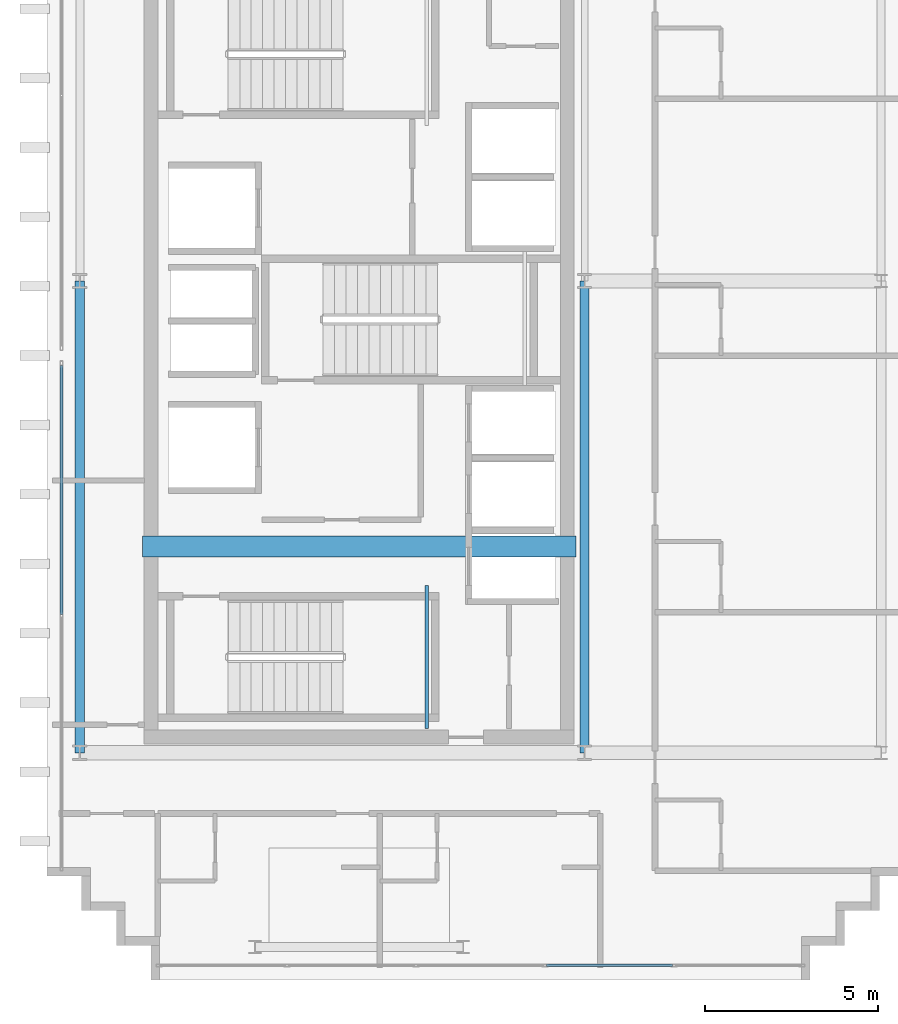
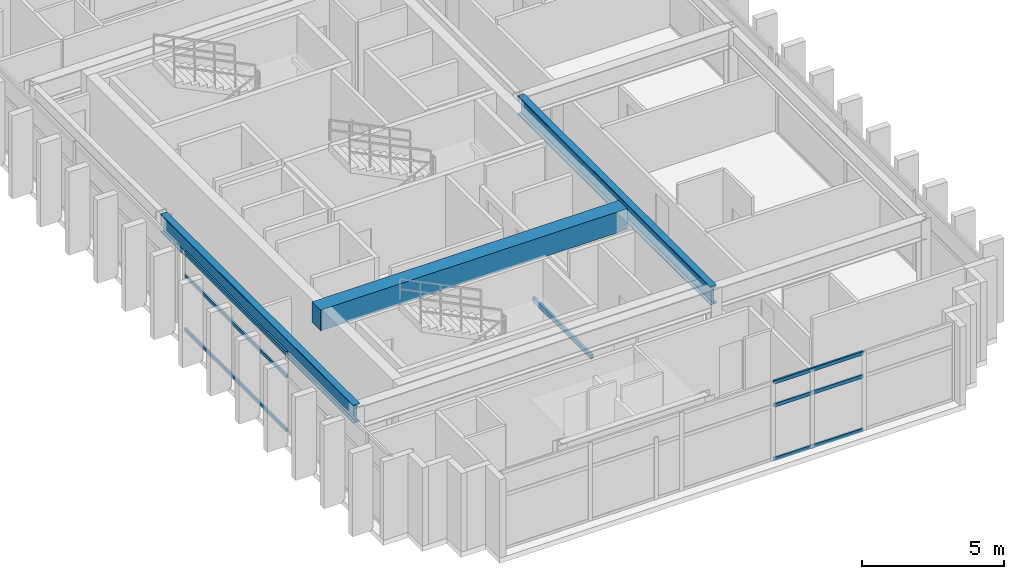
# One storey, part 3 of 15: 6 members, 4 beams, 2 elements without a shape of their own.
"""IFC4 building model written with IfcOpenShell, lengths in metres."""

from ifc_helpers import new_model, si_unit, direction, frame, origin, origin_2d, place, context, subcontext, project, spatial, rectangle, hollow_rectangle, i_section, extrude, source, transform, mapped, material, layer, layer_set, material_profile, profile_set, type_object, element, aggregate, save


model = new_model("IFC4")

# Units and contexts
model_context = context("Model", 3, precision=1e-05, world=origin(), true_north=direction((0.0, 1.0)))
body_context = subcontext(model_context, "Body", "Model", "MODEL_VIEW")
ifc_project = project(units=[si_unit("LENGTHUNIT", "METRE"), si_unit("AREAUNIT", "SQUARE_METRE"), si_unit("VOLUMEUNIT", "CUBIC_METRE"), si_unit("PLANEANGLEUNIT", "RADIAN"), si_unit("MASSUNIT", "GRAM", prefix="KILO")], contexts=[model_context])

# Site, building, storey
site_placement = place(None, origin())
site = spatial("IfcSite", under=ifc_project, at=site_placement, CompositionType="ELEMENT")
building_placement = place(site_placement, origin())
building = spatial("IfcBuilding", under=site, at=building_placement, Name="Ocotamira Hotel", CompositionType="ELEMENT")
storey_placement = place(building_placement, frame((0.0, 0.0, 283.199951171875)))
storey = spatial("IfcBuildingStorey", under=building, at=storey_placement, Name="L72", CompositionType="ELEMENT", Elevation=283.199951171875)

# Beams
ifc_material_1 = material(Name="Concrete C50/60", Category="concrete")
ifc_material_profile_1 = material_profile(ifc_material_1, rectangle(XDim=0.60009765625, YDim=0.89990234375, at=origin_2d()), Name="RC600X900")
ifc_profile_set_1 = profile_set([ifc_material_profile_1], Name="Concrete C50/60")
beam_type_1 = type_object("IfcBeamType", Name="BM-LINK-RC600", PredefinedType="LINTEL", material=ifc_profile_set_1)
shared_shape_1 = source(origin(), body_context, "Body", "SweptSolid", [
    extrude(rectangle(XDim=0.60009765625, YDim=0.89990234375, at=origin_2d()), origin(), (0.0, 0.0, 1.0), 12.5),
])
beam_1_placement = place(storey_placement, frame((10.75, 20.5, 2.929931640625), z_axis=(1.0, 0.0, 0.0), x_axis=(0.0, 1.0, 0.0)))
element("IfcBeam", 1, at=beam_1_placement, inside=storey, type_object=beam_type_1, Name="L72 West Core Coupling Beam", PredefinedType="LINTEL", context=body_context, shape_type="MappedRepresentation", body=[
    mapped(shared_shape_1, transform((0.0, 0.0, 0.0), scale=1.0)),
])
ifc_material_2 = material(Name="Steel ASTM A500 Grade C", Category="steel")
ifc_material_profile_2 = material_profile(ifc_material_2, hollow_rectangle(XDim=0.10009765625, YDim=0.199951171875, WallThickness=0.008056640625, at=origin_2d()), Name="HSS200X100X8")
ifc_profile_set_2 = profile_set([ifc_material_profile_2], Name="Steel ASTM A500 Grade C")
beam_type_2 = type_object("IfcBeamType", Name="BM-STLDG-HSS200", PredefinedType="BEAM", material=ifc_profile_set_2)
shared_shape_2 = source(origin(), body_context, "Body", "SweptSolid", [
    extrude(hollow_rectangle(XDim=0.10009765625, YDim=0.199951171875, WallThickness=0.008056640625, at=origin_2d()), origin(), (0.0, 0.0, 1.0), 4.1201171875),
])
beam_2_placement = place(storey_placement, frame((18.949951171875, 15.25, 1.5), z_axis=(0.0, 1.0, 0.0), x_axis=(-1.0, 0.0, 0.0)))
element("IfcBeam", 2, at=beam_2_placement, inside=storey, type_object=beam_type_2, Name="L72 Stair ST-1 Landing Bearer 1", PredefinedType="BEAM", context=body_context, shape_type="MappedRepresentation", body=[
    mapped(shared_shape_2, transform((0.0, 0.0, 0.0), scale=1.0)),
])
ifc_material_3 = material(Name="Steel ASTM A992 Grade 50", Category="steel")
ifc_material_profile_3 = material_profile(ifc_material_3, i_section(OverallWidth=0.26611328125, OverallDepth=0.779052734375, WebThickness=0.0166015625, FlangeThickness=0.030029296875, FilletRadius=0.01806640625, at=origin_2d()), Name="W30X148")
ifc_profile_set_3 = profile_set([ifc_material_profile_3], Name="Steel ASTM A992 Grade 50")
beam_type_3 = type_object("IfcBeamType", Name="BM-GIRD-W30X148", PredefinedType="BEAM", material=ifc_profile_set_3)
shared_shape_3 = source(origin(), body_context, "Body", "SweptSolid", [
    extrude(i_section(OverallWidth=0.26611328125, OverallDepth=0.779052734375, WebThickness=0.0166015625, FlangeThickness=0.030029296875, FilletRadius=0.01806640625, at=origin_2d()), origin(), (0.0, 0.0, 1.0), 13.599853515625),
])
for number, where, z_axis, x_axis, name in (
    (3, (8.949951171875, 14.550048828125, 2.990478515625), (0.0, 1.0, 0.0), (-1.0, 0.0, 0.0), "L72 Beam X8.95 Y14.55-28.15"),
    (4, (23.5, 14.550048828125, 2.990478515625), (0.0, 1.0, 0.0), (-1.0, 0.0, 0.0), "L72 Beam X23.5 Y14.55-28.15"),
):
    element("IfcBeam", number, at=place(storey_placement, frame(where, z_axis=z_axis, x_axis=x_axis)), inside=storey, type_object=beam_type_3, Name=name, PredefinedType="BEAM", context=body_context, shape_type="MappedRepresentation", body=[
        mapped(shared_shape_3, transform((0.0, 0.0, 0.0), scale=1.0)),
    ])

# Curtain wall, members
ifc_material_4 = material(Name="Anodised pale-metal aluminium and solar glass", Category="aluminium")
ifc_layer = layer(ifc_material_4, 0.2099609375)
ifc_layer_set = layer_set([ifc_layer], Name="Anodised pale-metal aluminium and solar glass")
curtain_wall_type = type_object("IfcCurtainWallType", Name="CW-SYS7-PEAK", PredefinedType="NOTDEFINED", material=ifc_layer_set)
curtain_wall_1_placement = place(storey_placement, origin())
curtain_wall_1 = element("IfcCurtainWall", 5, at=curtain_wall_1_placement, inside=storey, type_object=curtain_wall_type, Name="L72 Curtain Wall CW-7 CW-L72-W1", PredefinedType="NOTDEFINED")
ifc_material_5 = material(Name="Anodised pale-metal aluminium 6063-T6", Category="aluminium")
ifc_material_profile_4 = material_profile(ifc_material_5, hollow_rectangle(XDim=0.074951171875, YDim=0.14990234375, WallThickness=0.006103515625, at=origin_2d()), Name="HSS150X75X6")
ifc_profile_set_4 = profile_set([ifc_material_profile_4], Name="Anodised pale-metal aluminium 6063-T6")
member_type = type_object("IfcMemberType", Name="CWT-150X75", PredefinedType="USERDEFINED", material=ifc_profile_set_4)
shared_shape_4 = source(origin(), body_context, "Body", "SweptSolid", [
    extrude(hollow_rectangle(XDim=0.074951171875, YDim=0.14990234375, WallThickness=0.006103515625, at=origin_2d()), origin(), (0.0, 0.0, 1.0), 7.179931640625),
])
member_1_placement = place(storey_placement, frame((8.419921875, 18.5400390625, 0.03759765625), z_axis=(0.0, 1.0, 0.0), x_axis=(-1.0, 0.0, 0.0)))
member_1 = element("IfcMember", 6, at=member_1_placement, type_object=member_type, Name="CW-7 transom 2.1", ObjectType="TRANSOM", PredefinedType="USERDEFINED", context=body_context, shape_type="MappedRepresentation", body=[
    mapped(shared_shape_4, transform((0.0, 0.0, 0.0), scale=1.0)),
])
member_2_placement = place(storey_placement, frame((8.419921875, 18.5400390625, 2.35009765625), z_axis=(0.0, 1.0, 0.0), x_axis=(-1.0, 0.0, 0.0)))
member_2 = element("IfcMember", 7, at=member_2_placement, type_object=member_type, Name="CW-7 transom 2.2", ObjectType="TRANSOM", PredefinedType="USERDEFINED", context=body_context, shape_type="MappedRepresentation", body=[
    mapped(shared_shape_4, transform((0.0, 0.0, 0.0), scale=1.0)),
])
member_3_placement = place(storey_placement, frame((8.419921875, 18.5400390625, 3.342529296875), z_axis=(0.0, 1.0, 0.0), x_axis=(-1.0, 0.0, 0.0)))
member_3 = element("IfcMember", 8, at=member_3_placement, type_object=member_type, Name="CW-7 transom 2.3", ObjectType="TRANSOM", PredefinedType="USERDEFINED", context=body_context, shape_type="MappedRepresentation", body=[
    mapped(shared_shape_4, transform((0.0, 0.0, 0.0), scale=1.0)),
])
aggregate(curtain_wall_1, [member_1, member_2, member_3])

curtain_wall_2_placement = place(storey_placement, origin())
curtain_wall_2 = element("IfcCurtainWall", 9, at=curtain_wall_2_placement, inside=storey, type_object=curtain_wall_type, Name="L72 Curtain Wall CW-7 CW-L72-S1", PredefinedType="NOTDEFINED")
shared_shape_5 = source(origin(), body_context, "Body", "SweptSolid", [
    extrude(hollow_rectangle(XDim=0.074951171875, YDim=0.14990234375, WallThickness=0.006103515625, at=origin_2d()), origin(), (0.0, 0.0, 1.0), 3.64013671875),
])
member_4_placement = place(storey_placement, frame((22.39990234375, 8.419921875, 0.03759765625), z_axis=(1.0, 0.0, 0.0), x_axis=(0.0, 1.0, 0.0)))
member_4 = element("IfcMember", 10, at=member_4_placement, type_object=member_type, Name="CW-7 transom 4.1", ObjectType="TRANSOM", PredefinedType="USERDEFINED", context=body_context, shape_type="MappedRepresentation", body=[
    mapped(shared_shape_5, transform((0.0, 0.0, 0.0), scale=1.0)),
])
member_5_placement = place(storey_placement, frame((22.39990234375, 8.419921875, 2.35009765625), z_axis=(1.0, 0.0, 0.0), x_axis=(0.0, 1.0, 0.0)))
member_5 = element("IfcMember", 11, at=member_5_placement, type_object=member_type, Name="CW-7 transom 4.2", ObjectType="TRANSOM", PredefinedType="USERDEFINED", context=body_context, shape_type="MappedRepresentation", body=[
    mapped(shared_shape_5, transform((0.0, 0.0, 0.0), scale=1.0)),
])
member_6_placement = place(storey_placement, frame((22.39990234375, 8.419921875, 3.342529296875), z_axis=(1.0, 0.0, 0.0), x_axis=(0.0, 1.0, 0.0)))
member_6 = element("IfcMember", 12, at=member_6_placement, type_object=member_type, Name="CW-7 transom 4.3", ObjectType="TRANSOM", PredefinedType="USERDEFINED", context=body_context, shape_type="MappedRepresentation", body=[
    mapped(shared_shape_5, transform((0.0, 0.0, 0.0), scale=1.0)),
])
aggregate(curtain_wall_2, [member_4, member_5, member_6])

save(model, "model.ifc")
